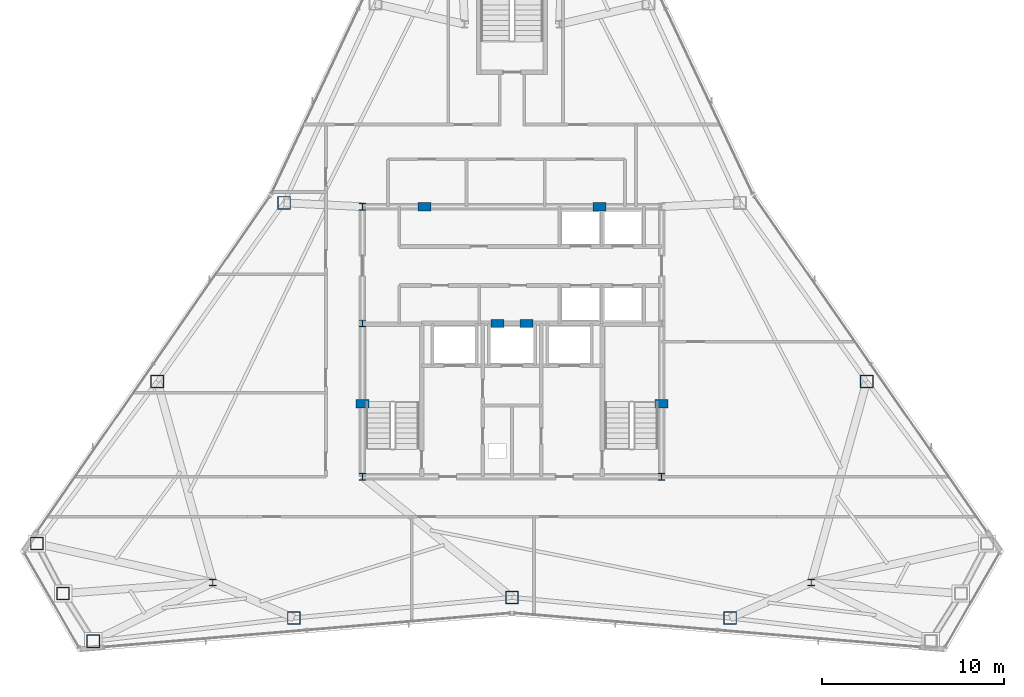
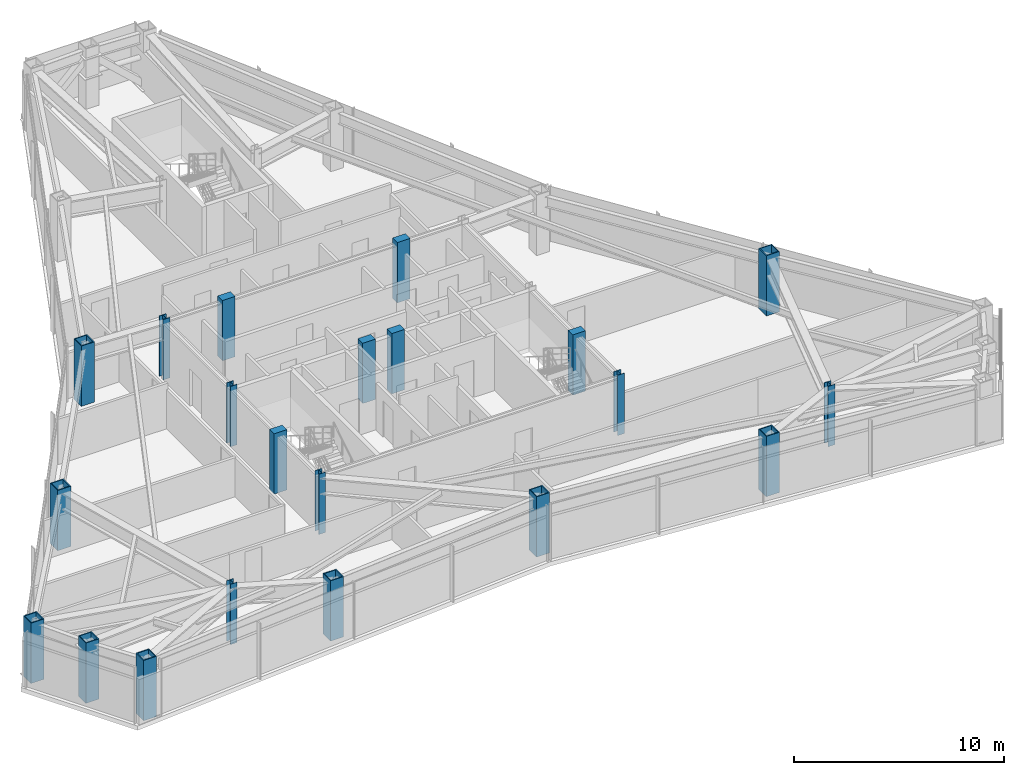
# One storey, part 1 of 12: 21 columns.
"""IFC4 building model written with IfcOpenShell, lengths in metres."""

from ifc_helpers import new_model, si_unit, direction, frame, origin, origin_2d, place, context, subcontext, project, spatial, rectangle, hollow_rectangle, i_section, extrude, material, material_profile, profile_set, type_object, element, save


model = new_model("IFC4")

# Units and contexts
model_context = context("Model", 3, precision=1e-05, world=origin(), true_north=direction((0.0, 1.0)))
body_context = subcontext(model_context, "Body", "Model", "MODEL_VIEW")
ifc_project = project(units=[si_unit("LENGTHUNIT", "METRE"), si_unit("AREAUNIT", "SQUARE_METRE"), si_unit("VOLUMEUNIT", "CUBIC_METRE"), si_unit("PLANEANGLEUNIT", "RADIAN"), si_unit("MASSUNIT", "GRAM", prefix="KILO")], contexts=[model_context])

# Site, building, storey
site_placement = place(None, origin())
site = spatial("IfcSite", under=ifc_project, at=site_placement, CompositionType="ELEMENT")
building_placement = place(site_placement, origin())
building = spatial("IfcBuilding", under=site, at=building_placement, Name="Varakhsha Concourse Tower", CompositionType="ELEMENT")
storey_placement = place(building_placement, frame((0.0, 0.0, 232.89990234375)))
storey = spatial("IfcBuildingStorey", under=building, at=storey_placement, Name="L66", CompositionType="ELEMENT", Elevation=232.89990234375)

# Columns
ifc_material_1 = material(Name="Structural Steel ASTM A992 Grade 50", Category="steel")
ifc_material_profile_1 = material_profile(ifc_material_1, i_section(OverallWidth=0.3740234375, OverallDepth=0.3720703125, WebThickness=0.01611328125, FlangeThickness=0.02587890625, at=origin_2d()), Name="W14X132")
ifc_profile_set_1 = profile_set([ifc_material_profile_1], Name="Structural Steel ASTM A992 Grade 50")
column_type_1 = type_object("IfcColumnType", Name="CL-CORE-W14X132", PredefinedType="COLUMN", material=ifc_profile_set_1)
for number, where, z_axis, x_axis, name in (
    (1, (31.800048828125, 16.39990234375, 0.0), (0.0, 0.0, 1.0), (1.0, 0.0, 0.0), "L66 Core Column CC-SW"),
    (2, (48.199951171875, 16.39990234375, 0.0), (0.0, 0.0, 1.0), (1.0, 0.0, 0.0), "L66 Core Column CC-SE"),
    (3, (31.800048828125, 24.800048828125, 0.0), (0.0, 0.0, 1.0), (1.0, 0.0, 0.0), "L66 Core Column CC-MW"),
    (4, (31.800048828125, 31.199951171875, 0.0), (0.0, 0.0, 1.0), (1.0, 0.0, 0.0), "L66 Core Column CC-NW"),
    (5, (23.60009765625, 10.60009765625, 0.0), (0.0, 0.0, 1.0), (1.0, 0.0, 0.0), "L66 Core Column SS-W"),
    (6, (56.39990234375, 10.60009765625, 0.0), (0.0, 0.0, 1.0), (1.0, 0.0, 0.0), "L66 Core Column SS-E"),
):
    element("IfcColumn", number, at=place(storey_placement, frame(where, z_axis=z_axis, x_axis=x_axis)), inside=storey, type_object=column_type_1, Name=name, PredefinedType="COLUMN", context=body_context, shape_type="SweptSolid", body=[
        extrude(i_section(OverallWidth=0.3740234375, OverallDepth=0.3720703125, WebThickness=0.01611328125, FlangeThickness=0.02587890625, at=origin_2d()), origin(), (0.0, 0.0, 1.0), 3.5),
    ])
ifc_material_2 = material(Name="Concrete fc 65 MPa", Category="concrete")
ifc_material_profile_2 = material_profile(ifc_material_2, rectangle(XDim=0.699951171875, YDim=0.449951171875, at=origin_2d()), Name="RC 700x450")
ifc_profile_set_2 = profile_set([ifc_material_profile_2], Name="Concrete fc 65 MPa")
column_type_2 = type_object("IfcColumnType", Name="CL-PIL-700X450", PredefinedType="PILASTER", material=ifc_profile_set_2)
for number, where, z_axis, x_axis, name in (
    (7, (31.800048828125, 20.39990234375, 0.0), (0.0, 0.0, 1.0), (1.0, 0.0, 0.0), "L66 Core Boundary Pilaster PIL-W1"),
    (8, (48.199951171875, 20.39990234375, 0.0), (0.0, 0.0, 1.0), (1.0, 0.0, 0.0), "L66 Core Boundary Pilaster PIL-E1"),
    (9, (35.199951171875, 31.199951171875, 0.0), (0.0, 0.0, 1.0), (1.0, 0.0, 0.0), "L66 Core Boundary Pilaster PIL-N1"),
    (10, (44.800048828125, 31.199951171875, 0.0), (0.0, 0.0, 1.0), (1.0, 0.0, 0.0), "L66 Core Boundary Pilaster PIL-N2"),
    (11, (39.199951171875, 24.800048828125, 0.0), (0.0, 0.0, 1.0), (1.0, 0.0, 0.0), "L66 Core Boundary Pilaster PIL-M1"),
    (12, (40.800048828125, 24.800048828125, 0.0), (0.0, 0.0, 1.0), (1.0, 0.0, 0.0), "L66 Core Boundary Pilaster PIL-M2"),
):
    element("IfcColumn", number, at=place(storey_placement, frame(where, z_axis=z_axis, x_axis=x_axis)), inside=storey, type_object=column_type_2, Name=name, PredefinedType="PILASTER", context=body_context, shape_type="SweptSolid", body=[
        extrude(rectangle(XDim=0.699951171875, YDim=0.449951171875, at=origin_2d()), origin(), (0.0, 0.0, 1.0), 3.5),
    ])
ifc_material_3 = material(Name="Structural Steel ASTM A572 Grade 50", Category="steel")
ifc_material_profile_3 = material_profile(ifc_material_3, hollow_rectangle(XDim=0.719970703125, YDim=0.719970703125, WallThickness=0.050048828125, at=origin_2d()), Name="BOX 720x720x50")
ifc_profile_set_3 = profile_set([ifc_material_profile_3], Name="Structural Steel ASTM A572 Grade 50")
column_type_3 = type_object("IfcColumnType", Name="CL-TUBE-720", PredefinedType="COLUMN", material=ifc_profile_set_3)
for number, where, z_axis, x_axis, name in (
    (13, (27.510009765625, 31.4111328125, 0.0), (0.0, 0.0, 1.0), (1.0, 0.0, 0.0), "L66 Framed-Tube Column TC05"),
    (14, (20.553466796875, 21.617919921875, 0.0), (0.0, 0.0, 1.0), (1.0, 0.0, 0.0), "L66 Framed-Tube Column TC06"),
    (15, (13.953857421875, 12.73046875, 0.0), (0.0, 0.0, 1.0), (1.0, 0.0, 0.0), "L66 Framed-Tube Column TC07"),
    (16, (15.389892578125, 9.9912109375, 0.0), (0.0, 0.0, 1.0), (1.0, 0.0, 0.0), "L66 Framed-Tube Column TC08"),
    (17, (17.0439453125, 7.378173828125, 0.0), (0.0, 0.0, 1.0), (1.0, 0.0, 0.0), "L66 Framed-Tube Column TC09"),
    (18, (28.04052734375, 8.64990234375, 0.0), (0.0, 0.0, 1.0), (1.0, 0.0, 0.0), "L66 Framed-Tube Column TC10"),
    (19, (40.0, 9.77783203125, 0.0), (0.0, 0.0, 1.0), (1.0, 0.0, 0.0), "L66 Framed-Tube Column TC11"),
    (20, (51.95947265625, 8.64990234375, 0.0), (0.0, 0.0, 1.0), (1.0, 0.0, 0.0), "L66 Framed-Tube Column TC12"),
    (21, (59.446533203125, 21.617919921875, 0.0), (0.0, 0.0, 1.0), (1.0, 0.0, 0.0), "L66 Framed-Tube Column TC16"),
):
    element("IfcColumn", number, at=place(storey_placement, frame(where, z_axis=z_axis, x_axis=x_axis)), inside=storey, type_object=column_type_3, Name=name, PredefinedType="COLUMN", context=body_context, shape_type="SweptSolid", body=[
        extrude(hollow_rectangle(XDim=0.719970703125, YDim=0.719970703125, WallThickness=0.050048828125, at=origin_2d()), origin(), (0.0, 0.0, 1.0), 3.5),
    ])

save(model, "model.ifc")
